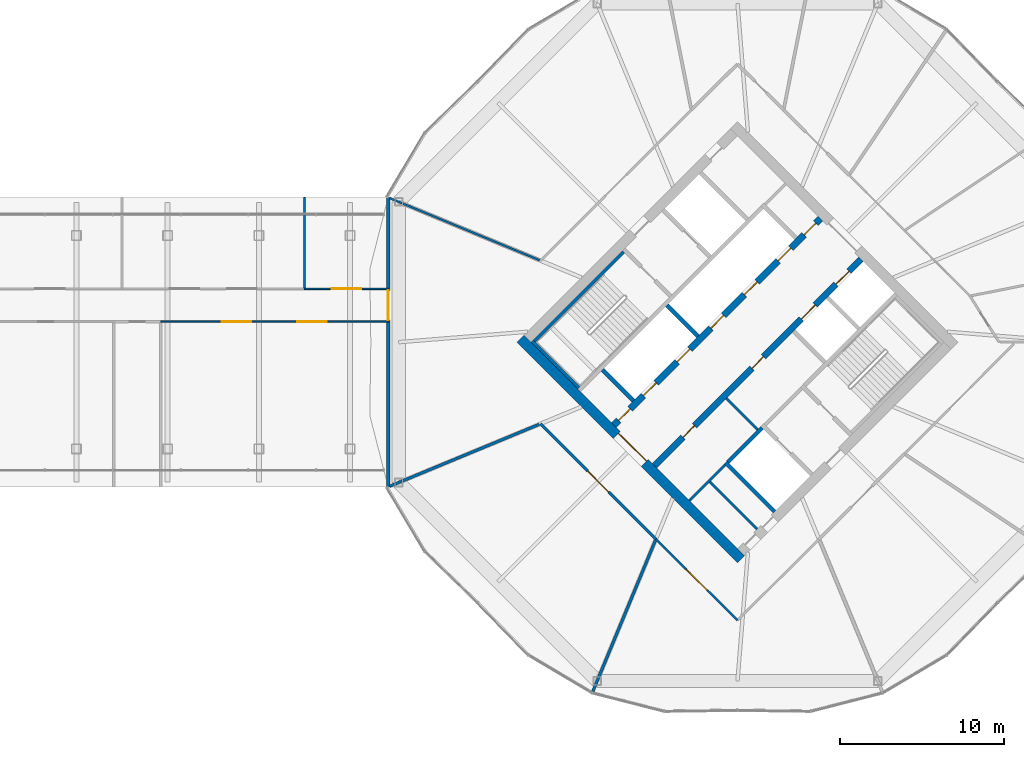
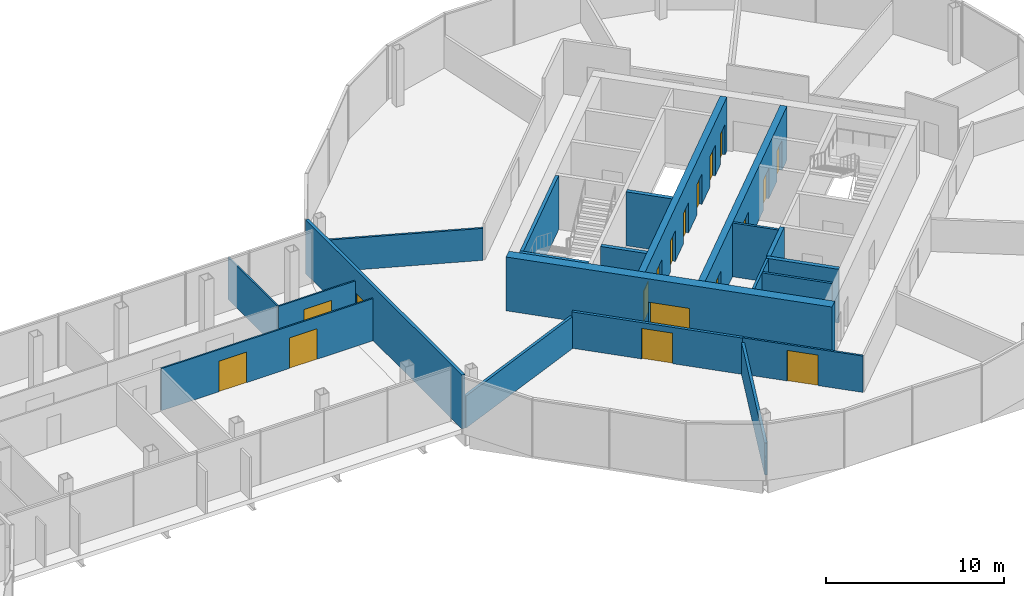
# One storey, part 22 of 26: 21 walls, 18 doors, 18 openings.
"""IFC4 building model written with IfcOpenShell, lengths in metres."""

from ifc_helpers import new_model, si_unit, direction, frame, frame_2d, origin, place, context, subcontext, project, spatial, rectangle, extrude, material, layer, layer_set, type_object, element, fill, save


model = new_model("IFC4")

# Units and contexts
model_context = context("Model", 3, precision=1e-05, world=origin(), true_north=direction((0.0, 1.0)))
body_context = subcontext(model_context, "Body", "Model", "MODEL_VIEW")
ifc_project = project(units=[si_unit("LENGTHUNIT", "METRE"), si_unit("AREAUNIT", "SQUARE_METRE"), si_unit("VOLUMEUNIT", "CUBIC_METRE"), si_unit("PLANEANGLEUNIT", "RADIAN"), si_unit("MASSUNIT", "GRAM", prefix="KILO")], contexts=[model_context])

# Site, building, storey
site_placement = place(None, origin())
site = spatial("IfcSite", under=ifc_project, at=site_placement, CompositionType="ELEMENT")
building_placement = place(site_placement, origin())
building = spatial("IfcBuilding", under=site, at=building_placement, Name="Ogive Gate Towers", CompositionType="ELEMENT")
storey_placement = place(building_placement, frame((0.0, 0.0, 156.800048828125)))
storey = spatial("IfcBuildingStorey", under=building, at=storey_placement, Name="L37", CompositionType="ELEMENT", Elevation=156.800048828125)

# Walls
ifc_material_1 = material(Name="Gypsum board acoustic partition")
ifc_layer_1 = layer(ifc_material_1, 0.175048828125)
ifc_layer_set_1 = layer_set([ifc_layer_1], Name="Acoustic partition 175")
wall_type_1 = type_object("IfcWallType", Name="Acoustic partition 175", PredefinedType="PARTITIONING", material=ifc_layer_set_1)
wall_1_placement = place(storey_placement, frame((14.813720703125, -8.775634765625, 0.0), z_axis=(0.0, 0.0, 1.0), x_axis=(0.923877614903, 0.382688061849, 0.0)))
element("IfcWall", 1, at=wall_1_placement, inside=storey, type_object=wall_type_1, Name="Partition T2-L37-008", PredefinedType="PARTITIONING", context=body_context, shape_type="SweptSolid", body=[
    extrude(rectangle(XDim=9.853271484375, YDim=0.175048828125, at=frame_2d((4.9267578125, 0.0))), origin(), (0.0, 0.0, 1.0), 2.199951171875),
])
wall_2_placement = place(storey_placement, frame((27.18310546875, -21.2861328125, 0.0), z_axis=(0.0, 0.0, 1.0), x_axis=(0.38267936462, 0.923881217416, 0.0)))
element("IfcWall", 2, at=wall_2_placement, inside=storey, type_object=wall_type_1, Name="Partition T2-L37-009", PredefinedType="PARTITIONING", context=body_context, shape_type="SweptSolid", body=[
    extrude(rectangle(XDim=9.96142578125, YDim=0.175048828125, at=frame_2d((4.980712890625, 0.0))), origin(), (0.0, 0.0, 1.0), 2.199951171875),
])

# Wall, opening, door
wall_3_placement = place(storey_placement, frame((23.997802734375, -4.971435546875, 0.0), z_axis=(0.0, 0.0, 1.0), x_axis=(0.707106781187, -0.707106781187, 0.0)))
wall_3 = element("IfcWall", 3, at=wall_3_placement, inside=storey, type_object=wall_type_1, Name="Partition T2-L37-012", PredefinedType="PARTITIONING", context=body_context, shape_type="SweptSolid", body=[
    extrude(rectangle(XDim=9.943115234375, YDim=0.175048828125, at=frame_2d((4.9716796875, 0.0))), origin(), (0.0, 0.0, 1.0), 2.5),
])
opening_1_placement = place(wall_3_placement, frame((4.071044921875, 0.0, 0.0)))
opening_1 = element("IfcOpeningElement", 4, at=opening_1_placement, cuts=wall_3, Name="Opening T2-L37-D01", PredefinedType="OPENING", context=body_context, shape_type="SweptSolid", body=[
    extrude(rectangle(XDim=1.800048828125, YDim=2.10009765625, at=frame_2d((0.89990234375, 1.050048828125))), frame((0.0, 0.09765625, 0.0), z_axis=(0.0, -1.0, 0.0), x_axis=(1.0, 0.0, 0.0)), (0.0, 0.0, 1.0), 0.195068359375),
])
ifc_material_2 = material(Name="Timber door", Category="wood")
door_type_1 = type_object("IfcDoorType", Name="Door pair 1800", OperationType="NOTDEFINED", PredefinedType="DOOR", material=ifc_material_2)
door_1_placement = place(opening_1_placement, origin())
door_1 = element("IfcDoor", 5, at=door_1_placement, inside=storey, type_object=door_type_1, Name="Door T2-L37-D01", OperationType="DOUBLE_DOOR_DOUBLE_SWING", OverallHeight=2.10009765625, OverallWidth=1.800048828125, PredefinedType="DOOR", context=body_context, shape_type="SweptSolid", body=[
    extrude(rectangle(XDim=1.800048828125, YDim=2.10009765625, at=frame_2d((0.89990234375, 1.050048828125))), frame((0.0, 0.02490234375, 0.0), z_axis=(0.0, -1.0, 0.0), x_axis=(1.0, 0.0, 0.0)), (0.0, 0.0, 1.0), 0.050048828125),
])
fill(opening_1, door_1)

ifc_material_3 = material(Name="Concrete C60/75", Category="concrete")
ifc_layer_2 = layer(ifc_material_3, 0.60009765625)
ifc_layer_set_2 = layer_set([ifc_layer_2], Name="Core wall 600 mm")
wall_type_2 = type_object("IfcWallType", Name="Core wall 600 mm", PredefinedType="SHEAR", material=ifc_layer_set_2)
wall_4_placement = place(storey_placement, frame((36.212158203125, -13.222900390625, 0.0), z_axis=(0.0, 0.0, 1.0), x_axis=(-0.707106781187, 0.707106781187, 0.0)))
wall_4 = element("IfcWall", 6, at=wall_4_placement, inside=storey, type_object=wall_type_2, Name="T2 L37 Core wall 600 mm", PredefinedType="SHEAR", context=body_context, shape_type="SweptSolid", body=[
    extrude(rectangle(XDim=19.0, YDim=0.60009765625, at=frame_2d((9.5, 0.0))), origin(), (0.0, 0.0, 1.0), 3.699951171875),
])
opening_2_placement = place(wall_4_placement, frame((8.300048828125, 0.0, 0.0)))
opening_2 = element("IfcOpeningElement", 7, at=opening_2_placement, cuts=wall_4, Name="Opening KD-T2-L37-01", PredefinedType="OPENING", context=body_context, shape_type="SweptSolid", body=[
    extrude(rectangle(XDim=2.39990234375, YDim=2.10009765625, at=frame_2d((1.199951171875, 1.050048828125))), frame((0.0, 0.31005859375, 0.0), z_axis=(0.0, -1.0, 0.0), x_axis=(1.0, 0.0, 0.0)), (0.0, 0.0, 1.0), 0.6201171875),
])
ifc_material_4 = material(Name="Steel fire door", Category="steel")
door_type_2 = type_object("IfcDoorType", Name="Core double door FD60S 2400 x 2100", OperationType="DOUBLE_DOOR_SINGLE_SWING", PredefinedType="DOOR", material=ifc_material_4)
door_2_placement = place(opening_2_placement, origin())
door_2 = element("IfcDoor", 8, at=door_2_placement, inside=storey, type_object=door_type_2, Name="T2 L37 Core door double", OperationType="DOUBLE_DOOR_SINGLE_SWING", OverallHeight=2.10009765625, OverallWidth=2.39990234375, PredefinedType="DOOR", context=body_context, shape_type="SweptSolid", body=[
    extrude(rectangle(XDim=2.39990234375, YDim=2.10009765625, at=frame_2d((1.199951171875, 1.050048828125))), frame((0.0, -0.125, 0.0), z_axis=(0.0, -1.0, 0.0), x_axis=(1.0, 0.0, 0.0)), (0.0, 0.0, 1.0), 0.050048828125),
])
fill(opening_2, door_2)

# Wall
ifc_material_5 = material(Name="Gypsum board partition")
ifc_layer_3 = layer(ifc_material_5, 0.125)
ifc_layer_set_3 = layer_set([ifc_layer_3], Name="Partition 125")
wall_type_3 = type_object("IfcWallType", Name="Partition 125", PredefinedType="PARTITIONING", material=ifc_layer_set_3)
wall_5_placement = place(storey_placement, frame((14.813720703125, 8.775634765625, 0.0), z_axis=(0.0, 0.0, 1.0), x_axis=(0.923880680571, -0.382680660691, 0.0)))
element("IfcWall", 9, at=wall_5_placement, inside=storey, type_object=wall_type_3, Name="Partition T2-L37-007", PredefinedType="PARTITIONING", context=body_context, shape_type="SweptSolid", body=[
    extrude(rectangle(XDim=9.87841796875, YDim=0.125, at=frame_2d((4.939208984375, 0.0))), origin(), (0.0, 0.0, 1.0), 2.199951171875),
])

# Wall, opening, door
wall_6_placement = place(storey_placement, frame((31.028564453125, -12.002197265625, 0.0), z_axis=(0.0, 0.0, 1.0), x_axis=(0.709332667605, -0.704873865786, 0.0)))
wall_6 = element("IfcWall", 10, at=wall_6_placement, inside=storey, type_object=wall_type_3, Name="Partition T2-L37-013", PredefinedType="PARTITIONING", context=body_context, shape_type="SweptSolid", body=[
    extrude(rectangle(XDim=7.008544921875, YDim=0.125, at=frame_2d((3.50439453125, 0.0))), origin(), (0.0, 0.0, 1.0), 2.5),
])
opening_3_placement = place(wall_6_placement, frame((2.60400390625, 0.0, 0.0)))
opening_3 = element("IfcOpeningElement", 11, at=opening_3_placement, cuts=wall_6, Name="Opening T2-L37-D02", PredefinedType="OPENING", context=body_context, shape_type="SweptSolid", body=[
    extrude(rectangle(XDim=1.800048828125, YDim=2.10009765625, at=frame_2d((0.89990234375, 1.050048828125))), frame((0.0, 0.072509765625, 0.0), z_axis=(0.0, -1.0, 0.0), x_axis=(1.0, 0.0, 0.0)), (0.0, 0.0, 1.0), 0.14501953125),
])
door_3_placement = place(opening_3_placement, origin())
door_3 = element("IfcDoor", 12, at=door_3_placement, inside=storey, type_object=door_type_1, Name="Door T2-L37-D02", OperationType="DOUBLE_DOOR_DOUBLE_SWING", OverallHeight=2.10009765625, OverallWidth=1.800048828125, PredefinedType="DOOR", context=body_context, shape_type="SweptSolid", body=[
    extrude(rectangle(XDim=1.800048828125, YDim=2.10009765625, at=frame_2d((0.89990234375, 1.050048828125))), frame((0.0, 0.02490234375, 0.0), z_axis=(0.0, -1.0, 0.0), x_axis=(1.0, 0.0, 0.0)), (0.0, 0.0, 1.0), 0.050048828125),
])
fill(opening_3, door_3)

ifc_layer_4 = layer(ifc_material_5, 0.10009765625)
ifc_layer_set_4 = layer_set([ifc_layer_4], Name="Partition wall 100")
wall_type_4 = type_object("IfcWallType", Name="Partition wall 100", PredefinedType="PARTITIONING", material=ifc_layer_set_4)
wall_7_placement = place(storey_placement, frame((9.6171875, 3.25, 0.0), z_axis=(0.0, 0.0, 1.0), x_axis=(1.0, 0.0, 0.0)))
wall_7 = element("IfcWall", 13, at=wall_7_placement, inside=storey, type_object=wall_type_4, Name="L37 partition 005", PredefinedType="PARTITIONING", context=body_context, shape_type="SweptSolid", body=[
    extrude(rectangle(XDim=5.0966796875, YDim=0.10009765625, at=frame_2d((2.54833984375, 0.0))), origin(), (0.0, 0.0, 1.0), 2.89990234375),
])
opening_4_placement = place(wall_7_placement, frame((1.648193359375, 0.0, 0.0)))
opening_4 = element("IfcOpeningElement", 14, at=opening_4_placement, cuts=wall_7, Name="Opening PO289", PredefinedType="OPENING", context=body_context, shape_type="SweptSolid", body=[
    extrude(rectangle(XDim=1.800048828125, YDim=2.10009765625, at=frame_2d((0.89990234375, 1.050048828125))), frame((0.0, 0.06005859375, 0.0), z_axis=(0.0, -1.0, 0.0), x_axis=(1.0, 0.0, 0.0)), (0.0, 0.0, 1.0), 0.1201171875),
])
door_type_3 = type_object("IfcDoorType", Name="Double door 1800 x 2100", OperationType="NOTDEFINED", PredefinedType="DOOR", material=ifc_material_2)
door_4_placement = place(opening_4_placement, origin())
door_4 = element("IfcDoor", 15, at=door_4_placement, inside=storey, type_object=door_type_3, Name="Door PO289", OperationType="DOUBLE_DOOR_DOUBLE_SWING", OverallHeight=2.10009765625, OverallWidth=1.800048828125, PredefinedType="DOOR", context=body_context, shape_type="SweptSolid", body=[
    extrude(rectangle(XDim=1.800048828125, YDim=2.10009765625, at=frame_2d((0.89990234375, 1.050048828125))), frame((0.0, 0.02490234375, 0.0), z_axis=(0.0, -1.0, 0.0), x_axis=(1.0, 0.0, 0.0)), (0.0, 0.0, 1.0), 0.050048828125),
])
fill(opening_4, door_4)

# Wall, openings, doors
wall_8_placement = place(storey_placement, frame((0.85009765625, 1.25, 0.0), z_axis=(0.0, 0.0, 1.0), x_axis=(1.0, 0.0, 0.0)))
wall_8 = element("IfcWall", 16, at=wall_8_placement, inside=storey, type_object=wall_type_4, Name="L37 partition 008", PredefinedType="PARTITIONING", context=body_context, shape_type="SweptSolid", body=[
    extrude(rectangle(XDim=13.86376953125, YDim=0.10009765625, at=frame_2d((6.931884765625, 0.0))), origin(), (0.0, 0.0, 1.0), 2.89990234375),
])
opening_5_placement = place(wall_8_placement, frame((3.739013671875, 0.0, 0.0)))
opening_5 = element("IfcOpeningElement", 17, at=opening_5_placement, cuts=wall_8, Name="Opening PO292", PredefinedType="OPENING", context=body_context, shape_type="SweptSolid", body=[
    extrude(rectangle(XDim=1.800048828125, YDim=2.10009765625, at=frame_2d((0.89990234375, 1.050048828125))), frame((0.0, 0.06005859375, 0.0), z_axis=(0.0, -1.0, 0.0), x_axis=(1.0, 0.0, 0.0)), (0.0, 0.0, 1.0), 0.1201171875),
])
opening_6_placement = place(wall_8_placement, frame((8.32470703125, 0.0, 0.0)))
opening_6 = element("IfcOpeningElement", 18, at=opening_6_placement, cuts=wall_8, Name="Opening PO293", PredefinedType="OPENING", context=body_context, shape_type="SweptSolid", body=[
    extrude(rectangle(XDim=1.800048828125, YDim=2.10009765625, at=frame_2d((0.89990234375, 1.050048828125))), frame((0.0, 0.06005859375, 0.0), z_axis=(0.0, -1.0, 0.0), x_axis=(1.0, 0.0, 0.0)), (0.0, 0.0, 1.0), 0.1201171875),
])
door_5_placement = place(opening_5_placement, origin())
door_5 = element("IfcDoor", 19, at=door_5_placement, inside=storey, type_object=door_type_3, Name="Door PO292", OperationType="DOUBLE_DOOR_DOUBLE_SWING", OverallHeight=2.10009765625, OverallWidth=1.800048828125, PredefinedType="DOOR", context=body_context, shape_type="SweptSolid", body=[
    extrude(rectangle(XDim=1.800048828125, YDim=2.10009765625, at=frame_2d((0.89990234375, 1.050048828125))), frame((0.0, 0.02490234375, 0.0), z_axis=(0.0, -1.0, 0.0), x_axis=(1.0, 0.0, 0.0)), (0.0, 0.0, 1.0), 0.050048828125),
])
fill(opening_5, door_5)
door_6_placement = place(opening_6_placement, origin())
door_6 = element("IfcDoor", 20, at=door_6_placement, inside=storey, type_object=door_type_3, Name="Door PO293", OperationType="DOUBLE_DOOR_DOUBLE_SWING", OverallHeight=2.10009765625, OverallWidth=1.800048828125, PredefinedType="DOOR", context=body_context, shape_type="SweptSolid", body=[
    extrude(rectangle(XDim=1.800048828125, YDim=2.10009765625, at=frame_2d((0.89990234375, 1.050048828125))), frame((0.0, 0.02490234375, 0.0), z_axis=(0.0, -1.0, 0.0), x_axis=(1.0, 0.0, 0.0)), (0.0, 0.0, 1.0), 0.050048828125),
])
fill(opening_6, door_6)

# Wall
wall_9_placement = place(storey_placement, frame((9.6171875, 3.300048828125, 0.0), z_axis=(0.0, 0.0, 1.0), x_axis=(0.0, 1.0, 0.0)))
element("IfcWall", 21, at=wall_9_placement, inside=storey, type_object=wall_type_4, Name="L37 partition 017", PredefinedType="PARTITIONING", context=body_context, shape_type="SweptSolid", body=[
    extrude(rectangle(XDim=5.516845703125, YDim=0.10009765625, at=frame_2d((2.75830078125, 0.0))), origin(), (0.0, 0.0, 1.0), 2.89990234375),
])

# Wall, opening, door
ifc_material_6 = material(Name="Masonry block wall", Category="masonry")
ifc_layer_5 = layer(ifc_material_6, 0.199951171875)
ifc_layer_set_5 = layer_set([ifc_layer_5], Name="Partition wall 200")
wall_type_5 = type_object("IfcWallType", Name="Partition wall 200", PredefinedType="PARTITIONING", material=ifc_layer_set_5)
wall_10_placement = place(storey_placement, frame((14.7138671875, -8.817138671875, 0.0), z_axis=(0.0, 0.0, 1.0), x_axis=(0.0, 1.0, 0.0)))
wall_10 = element("IfcWall", 22, at=wall_10_placement, inside=storey, type_object=wall_type_5, Name="L37 wall 021", PredefinedType="PARTITIONING", context=body_context, shape_type="SweptSolid", body=[
    extrude(rectangle(XDim=17.63427734375, YDim=0.199951171875, at=frame_2d((8.817138671875, 0.0))), origin(), (0.0, 0.0, 1.0), 3.699951171875),
])
opening_7_placement = place(wall_10_placement, frame((10.1669921875, 0.0, 0.0)))
opening_7 = element("IfcOpeningElement", 23, at=opening_7_placement, cuts=wall_10, Name="Opening PO295", PredefinedType="OPENING", context=body_context, shape_type="SweptSolid", body=[
    extrude(rectangle(XDim=1.800048828125, YDim=2.10009765625, at=frame_2d((0.89990234375, 1.050048828125))), frame((0.0, 0.10986328125, 0.0), z_axis=(0.0, -1.0, 0.0), x_axis=(1.0, 0.0, 0.0)), (0.0, 0.0, 1.0), 0.219970703125),
])
door_type_4 = type_object("IfcDoorType", Name="Interior fire double door FD120S 1800 x 2100", OperationType="NOTDEFINED", PredefinedType="DOOR", material=ifc_material_4)
door_7_placement = place(opening_7_placement, origin())
door_7 = element("IfcDoor", 24, at=door_7_placement, inside=storey, type_object=door_type_4, Name="Door PO295", OperationType="DOUBLE_DOOR_DOUBLE_SWING", OverallHeight=2.10009765625, OverallWidth=1.800048828125, PredefinedType="DOOR", context=body_context, shape_type="SweptSolid", body=[
    extrude(rectangle(XDim=1.800048828125, YDim=2.10009765625, at=frame_2d((0.89990234375, 1.050048828125))), frame((0.0, 0.02490234375, 0.0), z_axis=(0.0, -1.0, 0.0), x_axis=(1.0, 0.0, 0.0)), (0.0, 0.0, 1.0), 0.050048828125),
])
fill(opening_7, door_7)

# Walls
ifc_layer_6 = layer(ifc_material_5, 0.14990234375)
ifc_layer_set_6 = layer_set([ifc_layer_6], Name="Room partition 150 mm")
wall_type_6 = type_object("IfcWallType", Name="Room partition 150 mm", PredefinedType="PARTITIONING", material=ifc_layer_set_6)
wall_11_placement = place(storey_placement, frame((33.0654296875, -9.652099609375, 0.0), z_axis=(0.0, 0.0, 1.0), x_axis=(0.707146476181, 0.707067083964, 0.0)))
element("IfcWall", 25, at=wall_11_placement, inside=storey, type_object=wall_type_6, Name="T2 L37 Room partition 150 mm", PredefinedType="PARTITIONING", context=body_context, shape_type="SweptSolid", body=[
    extrude(rectangle(XDim=3.0751953125, YDim=0.14990234375, at=frame_2d((1.53759765625, 0.0))), origin(), (0.0, 0.0, 1.0), 3.699951171875),
])
wall_12_placement = place(storey_placement, frame((37.2021484375, -11.384521484375, 0.0), z_axis=(0.0, 0.0, 1.0), x_axis=(-0.707106781187, 0.707106781187, 0.0)))
element("IfcWall", 26, at=wall_12_placement, inside=storey, type_object=wall_type_6, Name="T2 L37 Room partition 150 mm", PredefinedType="PARTITIONING", context=body_context, shape_type="SweptSolid", body=[
    extrude(rectangle(XDim=4.0751953125, YDim=0.14990234375, at=frame_2d((2.03759765625, 0.0))), origin(), (0.0, 0.0, 1.0), 3.699951171875),
])
wall_13_placement = place(storey_placement, frame((37.2197265625, -5.321044921875, 0.0), z_axis=(0.0, 0.0, 1.0), x_axis=(-0.707106781187, 0.707106781187, 0.0)))
element("IfcWall", 27, at=wall_13_placement, inside=storey, type_object=wall_type_6, Name="T2 L37 Room partition 150 mm", PredefinedType="PARTITIONING", context=body_context, shape_type="SweptSolid", body=[
    extrude(rectangle(XDim=2.675048828125, YDim=0.14990234375, at=frame_2d((1.33740234375, 0.0))), origin(), (0.0, 0.0, 1.0), 3.699951171875),
])
ifc_layer_7 = layer(ifc_material_3, 0.25)
ifc_layer_set_7 = layer_set([ifc_layer_7], Name="Shaft wall 250 mm")
wall_type_7 = type_object("IfcWallType", Name="Shaft wall 250 mm", PredefinedType="SHEAR", material=ifc_layer_set_7)
wall_14_placement = place(storey_placement, frame((35.41650390625, -7.30078125, 0.0), z_axis=(0.0, 0.0, 1.0), x_axis=(0.707148157867, 0.707065402085, 0.0)))
element("IfcWall", 28, at=wall_14_placement, inside=storey, type_object=wall_type_7, Name="T2 L37 Shaft wall 250 mm", PredefinedType="SHEAR", context=body_context, shape_type="SweptSolid", body=[
    extrude(rectangle(XDim=2.9501953125, YDim=0.25, at=frame_2d((1.47509765625, 0.0))), origin(), (0.0, 0.0, 1.0), 3.699951171875),
])
wall_15_placement = place(storey_placement, frame((29.67138671875, -3.57080078125, 0.0), z_axis=(0.0, 0.0, 1.0), x_axis=(-0.707152414227, 0.707061145201, 0.0)))
element("IfcWall", 29, at=wall_15_placement, inside=storey, type_object=wall_type_7, Name="T2 L37 Shaft wall 250 mm", PredefinedType="SHEAR", context=body_context, shape_type="SweptSolid", body=[
    extrude(rectangle(XDim=2.675048828125, YDim=0.25, at=frame_2d((1.33740234375, 0.0))), origin(), (0.0, 0.0, 1.0), 3.699951171875),
])
wall_16_placement = place(storey_placement, frame((38.2626953125, -10.32373046875, 0.0), z_axis=(0.0, 0.0, 1.0), x_axis=(-0.707106781187, 0.707106781187, 0.0)))
element("IfcWall", 30, at=wall_16_placement, inside=storey, type_object=wall_type_7, Name="T2 L37 Shaft wall 250 mm", PredefinedType="SHEAR", context=body_context, shape_type="SweptSolid", body=[
    extrude(rectangle(XDim=4.22509765625, YDim=0.25, at=frame_2d((2.112548828125, 0.0))), origin(), (0.0, 0.0, 1.0), 3.699951171875),
])
wall_17_placement = place(storey_placement, frame((33.595703125, 0.353515625, 0.0), z_axis=(0.0, 0.0, 1.0), x_axis=(-0.707061145201, 0.707152414227, 0.0)))
element("IfcWall", 31, at=wall_17_placement, inside=storey, type_object=wall_type_7, Name="T2 L37 Shaft wall 250 mm", PredefinedType="SHEAR", context=body_context, shape_type="SweptSolid", body=[
    extrude(rectangle(XDim=2.675048828125, YDim=0.25, at=frame_2d((1.33740234375, 0.0))), origin(), (0.0, 0.0, 1.0), 3.699951171875),
])

# Wall, openings, doors
ifc_layer_8 = layer(ifc_material_3, 0.39990234375)
ifc_layer_set_8 = layer_set([ifc_layer_8], Name="Spine wall 400 mm")
wall_type_8 = type_object("IfcWallType", Name="Spine wall 400 mm", PredefinedType="SHEAR", material=ifc_layer_set_8)
wall_18_placement = place(storey_placement, frame((30.944091796875, -7.53076171875, 0.0), z_axis=(0.0, 0.0, 1.0), x_axis=(0.707106781187, 0.707106781187, 0.0)))
wall_18 = element("IfcWall", 32, at=wall_18_placement, inside=storey, type_object=wall_type_8, Name="T2 L37 Spine wall 400 mm", PredefinedType="SHEAR", context=body_context, shape_type="SweptSolid", body=[
    extrude(rectangle(XDim=17.80029296875, YDim=0.39990234375, at=frame_2d((8.900146484375, 0.0))), origin(), (0.0, 0.0, 1.0), 3.699951171875),
])
opening_8_placement = place(wall_18_placement, frame((12.64990234375, 0.0, 0.0)))
opening_8 = element("IfcOpeningElement", 33, at=opening_8_placement, cuts=wall_18, Name="Opening LD-T2-L37-10", PredefinedType="OPENING", context=body_context, shape_type="SweptSolid", body=[
    extrude(rectangle(XDim=1.199951171875, YDim=2.10009765625, at=frame_2d((0.60009765625, 1.050048828125))), frame((0.0, 0.2099609375, 0.0), z_axis=(0.0, -1.0, 0.0), x_axis=(1.0, 0.0, 0.0)), (0.0, 0.0, 1.0), 0.419921875),
])
opening_9_placement = place(wall_18_placement, frame((15.64990234375, 0.0, 0.0)))
opening_9 = element("IfcOpeningElement", 34, at=opening_9_placement, cuts=wall_18, Name="Opening LD-T2-L37-11", PredefinedType="OPENING", context=body_context, shape_type="SweptSolid", body=[
    extrude(rectangle(XDim=1.10009765625, YDim=2.10009765625, at=frame_2d((0.550048828125, 1.050048828125))), frame((0.0, 0.2099609375, 0.0), z_axis=(0.0, -1.0, 0.0), x_axis=(1.0, 0.0, 0.0)), (0.0, 0.0, 1.0), 0.419921875),
])
opening_10_placement = place(wall_18_placement, frame((2.449951171875, 0.0, 0.0)))
opening_10 = element("IfcOpeningElement", 35, at=opening_10_placement, cuts=wall_18, Name="Opening KD-T2-L37-14", PredefinedType="OPENING", context=body_context, shape_type="SweptSolid", body=[
    extrude(rectangle(XDim=1.0, YDim=2.10009765625, at=frame_2d((0.5, 1.050048828125))), frame((0.0, 0.2099609375, 0.0), z_axis=(0.0, -1.0, 0.0), x_axis=(1.0, 0.0, 0.0)), (0.0, 0.0, 1.0), 0.419921875),
])
opening_11_placement = place(wall_18_placement, frame((8.39990234375, 0.0, 0.0)))
opening_11 = element("IfcOpeningElement", 36, at=opening_11_placement, cuts=wall_18, Name="Opening KD-T2-L37-15", PredefinedType="OPENING", context=body_context, shape_type="SweptSolid", body=[
    extrude(rectangle(XDim=1.0, YDim=2.10009765625, at=frame_2d((0.5, 1.050048828125))), frame((0.0, 0.2099609375, 0.0), z_axis=(0.0, -1.0, 0.0), x_axis=(1.0, 0.0, 0.0)), (0.0, 0.0, 1.0), 0.419921875),
])
door_type_5 = type_object("IfcDoorType", Name="Core door FD60S 1000 x 2100", OperationType="NOTDEFINED", PredefinedType="DOOR", material=ifc_material_4)
door_8_placement = place(opening_10_placement, origin())
door_8 = element("IfcDoor", 37, at=door_8_placement, inside=storey, type_object=door_type_5, Name="T2 L37 Core door", OperationType="SINGLE_SWING_LEFT", OverallHeight=2.10009765625, OverallWidth=1.0, PredefinedType="DOOR", context=body_context, shape_type="SweptSolid", body=[
    extrude(rectangle(XDim=1.0, YDim=2.10009765625, at=frame_2d((0.5, 1.050048828125))), frame((0.0, 0.02490234375, 0.0), z_axis=(0.0, -1.0, 0.0), x_axis=(1.0, 0.0, 0.0)), (0.0, 0.0, 1.0), 0.050048828125),
])
fill(opening_10, door_8)
door_9_placement = place(opening_11_placement, origin())
door_9 = element("IfcDoor", 38, at=door_9_placement, inside=storey, type_object=door_type_5, Name="T2 L37 Core door", OperationType="SINGLE_SWING_RIGHT", OverallHeight=2.10009765625, OverallWidth=1.0, PredefinedType="DOOR", context=body_context, shape_type="SweptSolid", body=[
    extrude(rectangle(XDim=1.0, YDim=2.10009765625, at=frame_2d((0.5, 1.050048828125))), frame((0.0, 0.02490234375, 0.0), z_axis=(0.0, -1.0, 0.0), x_axis=(1.0, 0.0, 0.0)), (0.0, 0.0, 1.0), 0.050048828125),
])
fill(opening_11, door_9)
ifc_material_7 = material(Name="Stainless steel landing door", Category="steel")
door_type_6 = type_object("IfcDoorType", Name="Landing door 1100 x 2100", OperationType="SLIDING_TO_LEFT", PredefinedType="DOOR", material=ifc_material_7)
door_10_placement = place(opening_9_placement, origin())
door_10 = element("IfcDoor", 39, at=door_10_placement, inside=storey, type_object=door_type_6, Name="T2 L37 Lift landing door B6", OperationType="SLIDING_TO_LEFT", OverallHeight=2.10009765625, OverallWidth=1.10009765625, PredefinedType="DOOR", context=body_context, shape_type="SweptSolid", body=[
    extrude(rectangle(XDim=1.10009765625, YDim=2.10009765625, at=frame_2d((0.550048828125, 1.050048828125))), frame((0.0, 0.02490234375, 0.0), z_axis=(0.0, -1.0, 0.0), x_axis=(1.0, 0.0, 0.0)), (0.0, 0.0, 1.0), 0.050048828125),
])
fill(opening_9, door_10)
door_type_7 = type_object("IfcDoorType", Name="Landing door 1200 x 2100", OperationType="SLIDING_TO_LEFT", PredefinedType="DOOR", material=ifc_material_7)
door_11_placement = place(opening_8_placement, origin())
door_11 = element("IfcDoor", 40, at=door_11_placement, inside=storey, type_object=door_type_7, Name="T2 L37 Lift landing door SVC", OperationType="SLIDING_TO_LEFT", OverallHeight=2.10009765625, OverallWidth=1.199951171875, PredefinedType="DOOR", context=body_context, shape_type="SweptSolid", body=[
    extrude(rectangle(XDim=1.199951171875, YDim=2.10009765625, at=frame_2d((0.60009765625, 1.050048828125))), frame((0.0, 0.02490234375, 0.0), z_axis=(0.0, -1.0, 0.0), x_axis=(1.0, 0.0, 0.0)), (0.0, 0.0, 1.0), 0.050048828125),
])
fill(opening_8, door_11)

wall_19_placement = place(storey_placement, frame((28.46923828125, -5.055908203125, 0.0), z_axis=(0.0, 0.0, 1.0), x_axis=(0.707106781187, 0.707106781187, 0.0)))
wall_19 = element("IfcWall", 41, at=wall_19_placement, inside=storey, type_object=wall_type_8, Name="T2 L37 Spine wall 400 mm", PredefinedType="SHEAR", context=body_context, shape_type="SweptSolid", body=[
    extrude(rectangle(XDim=17.80029296875, YDim=0.39990234375, at=frame_2d((8.900146484375, 0.0))), origin(), (0.0, 0.0, 1.0), 3.699951171875),
])
opening_12_placement = place(wall_19_placement, frame((0.39990234375, 0.0, 0.0)))
opening_12 = element("IfcOpeningElement", 42, at=opening_12_placement, cuts=wall_19, Name="Opening KD-T2-L37-03", PredefinedType="OPENING", context=body_context, shape_type="SweptSolid", body=[
    extrude(rectangle(XDim=1.0, YDim=2.10009765625, at=frame_2d((0.5, 1.050048828125))), frame((0.0, 0.2099609375, 0.0), z_axis=(0.0, -1.0, 0.0), x_axis=(1.0, 0.0, 0.0)), (0.0, 0.0, 1.0), 0.419921875),
])
opening_13_placement = place(wall_19_placement, frame((2.550048828125, 0.0, 0.0)))
opening_13 = element("IfcOpeningElement", 43, at=opening_13_placement, cuts=wall_19, Name="Opening LD-T2-L37-04", PredefinedType="OPENING", context=body_context, shape_type="SweptSolid", body=[
    extrude(rectangle(XDim=1.10009765625, YDim=2.10009765625, at=frame_2d((0.550048828125, 1.050048828125))), frame((0.0, 0.2099609375, 0.0), z_axis=(0.0, -1.0, 0.0), x_axis=(1.0, 0.0, 0.0)), (0.0, 0.0, 1.0), 0.419921875),
])
opening_14_placement = place(wall_19_placement, frame((5.449951171875, 0.0, 0.0)))
opening_14 = element("IfcOpeningElement", 44, at=opening_14_placement, cuts=wall_19, Name="Opening LD-T2-L37-05", PredefinedType="OPENING", context=body_context, shape_type="SweptSolid", body=[
    extrude(rectangle(XDim=1.10009765625, YDim=2.10009765625, at=frame_2d((0.550048828125, 1.050048828125))), frame((0.0, 0.2099609375, 0.0), z_axis=(0.0, -1.0, 0.0), x_axis=(1.0, 0.0, 0.0)), (0.0, 0.0, 1.0), 0.419921875),
])
opening_15_placement = place(wall_19_placement, frame((8.35009765625, 0.0, 0.0)))
opening_15 = element("IfcOpeningElement", 45, at=opening_15_placement, cuts=wall_19, Name="Opening LD-T2-L37-06", PredefinedType="OPENING", context=body_context, shape_type="SweptSolid", body=[
    extrude(rectangle(XDim=1.10009765625, YDim=2.10009765625, at=frame_2d((0.550048828125, 1.050048828125))), frame((0.0, 0.2099609375, 0.0), z_axis=(0.0, -1.0, 0.0), x_axis=(1.0, 0.0, 0.0)), (0.0, 0.0, 1.0), 0.419921875),
])
opening_16_placement = place(wall_19_placement, frame((11.25, 0.0, 0.0)))
opening_16 = element("IfcOpeningElement", 46, at=opening_16_placement, cuts=wall_19, Name="Opening LD-T2-L37-07", PredefinedType="OPENING", context=body_context, shape_type="SweptSolid", body=[
    extrude(rectangle(XDim=1.10009765625, YDim=2.10009765625, at=frame_2d((0.550048828125, 1.050048828125))), frame((0.0, 0.2099609375, 0.0), z_axis=(0.0, -1.0, 0.0), x_axis=(1.0, 0.0, 0.0)), (0.0, 0.0, 1.0), 0.419921875),
])
opening_17_placement = place(wall_19_placement, frame((14.14990234375, 0.0, 0.0)))
opening_17 = element("IfcOpeningElement", 47, at=opening_17_placement, cuts=wall_19, Name="Opening LD-T2-L37-08", PredefinedType="OPENING", context=body_context, shape_type="SweptSolid", body=[
    extrude(rectangle(XDim=1.10009765625, YDim=2.10009765625, at=frame_2d((0.550048828125, 1.050048828125))), frame((0.0, 0.2099609375, 0.0), z_axis=(0.0, -1.0, 0.0), x_axis=(1.0, 0.0, 0.0)), (0.0, 0.0, 1.0), 0.419921875),
])
opening_18_placement = place(wall_19_placement, frame((16.39990234375, 0.0, 0.0)))
opening_18 = element("IfcOpeningElement", 48, at=opening_18_placement, cuts=wall_19, Name="Opening KD-T2-L37-09", PredefinedType="OPENING", context=body_context, shape_type="SweptSolid", body=[
    extrude(rectangle(XDim=1.0, YDim=2.10009765625, at=frame_2d((0.5, 1.050048828125))), frame((0.0, 0.2099609375, 0.0), z_axis=(0.0, -1.0, 0.0), x_axis=(1.0, 0.0, 0.0)), (0.0, 0.0, 1.0), 0.419921875),
])
door_12_placement = place(opening_12_placement, origin())
door_12 = element("IfcDoor", 49, at=door_12_placement, inside=storey, type_object=door_type_5, Name="T2 L37 Core door", OperationType="SINGLE_SWING_RIGHT", OverallHeight=2.10009765625, OverallWidth=1.0, PredefinedType="DOOR", context=body_context, shape_type="SweptSolid", body=[
    extrude(rectangle(XDim=1.0, YDim=2.10009765625, at=frame_2d((0.5, 1.050048828125))), frame((0.0, 0.02490234375, 0.0), z_axis=(0.0, -1.0, 0.0), x_axis=(1.0, 0.0, 0.0)), (0.0, 0.0, 1.0), 0.050048828125),
])
fill(opening_12, door_12)
door_13_placement = place(opening_18_placement, origin())
door_13 = element("IfcDoor", 50, at=door_13_placement, inside=storey, type_object=door_type_5, Name="T2 L37 Core door", OperationType="SINGLE_SWING_RIGHT", OverallHeight=2.10009765625, OverallWidth=1.0, PredefinedType="DOOR", context=body_context, shape_type="SweptSolid", body=[
    extrude(rectangle(XDim=1.0, YDim=2.10009765625, at=frame_2d((0.5, 1.050048828125))), frame((0.0, 0.02490234375, 0.0), z_axis=(0.0, -1.0, 0.0), x_axis=(1.0, 0.0, 0.0)), (0.0, 0.0, 1.0), 0.050048828125),
])
fill(opening_18, door_13)
door_14_placement = place(opening_13_placement, origin())
door_14 = element("IfcDoor", 51, at=door_14_placement, inside=storey, type_object=door_type_6, Name="T2 L37 Lift landing door B1", OperationType="SLIDING_TO_LEFT", OverallHeight=2.10009765625, OverallWidth=1.10009765625, PredefinedType="DOOR", context=body_context, shape_type="SweptSolid", body=[
    extrude(rectangle(XDim=1.10009765625, YDim=2.10009765625, at=frame_2d((0.550048828125, 1.050048828125))), frame((0.0, 0.02490234375, 0.0), z_axis=(0.0, -1.0, 0.0), x_axis=(1.0, 0.0, 0.0)), (0.0, 0.0, 1.0), 0.050048828125),
])
fill(opening_13, door_14)
door_15_placement = place(opening_14_placement, origin())
door_15 = element("IfcDoor", 52, at=door_15_placement, inside=storey, type_object=door_type_6, Name="T2 L37 Lift landing door B2", OperationType="SLIDING_TO_LEFT", OverallHeight=2.10009765625, OverallWidth=1.10009765625, PredefinedType="DOOR", context=body_context, shape_type="SweptSolid", body=[
    extrude(rectangle(XDim=1.10009765625, YDim=2.10009765625, at=frame_2d((0.550048828125, 1.050048828125))), frame((0.0, 0.02490234375, 0.0), z_axis=(0.0, -1.0, 0.0), x_axis=(1.0, 0.0, 0.0)), (0.0, 0.0, 1.0), 0.050048828125),
])
fill(opening_14, door_15)
door_16_placement = place(opening_15_placement, origin())
door_16 = element("IfcDoor", 53, at=door_16_placement, inside=storey, type_object=door_type_6, Name="T2 L37 Lift landing door B3", OperationType="SLIDING_TO_LEFT", OverallHeight=2.10009765625, OverallWidth=1.10009765625, PredefinedType="DOOR", context=body_context, shape_type="SweptSolid", body=[
    extrude(rectangle(XDim=1.10009765625, YDim=2.10009765625, at=frame_2d((0.550048828125, 1.050048828125))), frame((0.0, 0.02490234375, 0.0), z_axis=(0.0, -1.0, 0.0), x_axis=(1.0, 0.0, 0.0)), (0.0, 0.0, 1.0), 0.050048828125),
])
fill(opening_15, door_16)
door_17_placement = place(opening_16_placement, origin())
door_17 = element("IfcDoor", 54, at=door_17_placement, inside=storey, type_object=door_type_6, Name="T2 L37 Lift landing door B4", OperationType="SLIDING_TO_LEFT", OverallHeight=2.10009765625, OverallWidth=1.10009765625, PredefinedType="DOOR", context=body_context, shape_type="SweptSolid", body=[
    extrude(rectangle(XDim=1.10009765625, YDim=2.10009765625, at=frame_2d((0.550048828125, 1.050048828125))), frame((0.0, 0.02490234375, 0.0), z_axis=(0.0, -1.0, 0.0), x_axis=(1.0, 0.0, 0.0)), (0.0, 0.0, 1.0), 0.050048828125),
])
fill(opening_16, door_17)
door_18_placement = place(opening_17_placement, origin())
door_18 = element("IfcDoor", 55, at=door_18_placement, inside=storey, type_object=door_type_6, Name="T2 L37 Lift landing door B5", OperationType="SLIDING_TO_LEFT", OverallHeight=2.10009765625, OverallWidth=1.10009765625, PredefinedType="DOOR", context=body_context, shape_type="SweptSolid", body=[
    extrude(rectangle(XDim=1.10009765625, YDim=2.10009765625, at=frame_2d((0.550048828125, 1.050048828125))), frame((0.0, 0.02490234375, 0.0), z_axis=(0.0, -1.0, 0.0), x_axis=(1.0, 0.0, 0.0)), (0.0, 0.0, 1.0), 0.050048828125),
])
fill(opening_17, door_18)

# Walls
ifc_layer_9 = layer(ifc_material_3, 0.199951171875)
ifc_layer_set_9 = layer_set([ifc_layer_9], Name="Stair wall 200 mm")
wall_type_9 = type_object("IfcWallType", Name="Stair wall 200 mm", PredefinedType="SHEAR", material=ifc_layer_set_9)
wall_20_placement = place(storey_placement, frame((23.62548828125, 0.07080078125, 0.0), z_axis=(0.0, 0.0, 1.0), x_axis=(0.707122685701, 0.707090876314, 0.0)))
element("IfcWall", 56, at=wall_20_placement, inside=storey, type_object=wall_type_9, Name="T2 L37 Stair wall 200 mm", PredefinedType="SHEAR", context=body_context, shape_type="SweptSolid", body=[
    extrude(rectangle(XDim=7.675048828125, YDim=0.199951171875, at=frame_2d((3.83740234375, 0.0))), origin(), (0.0, 0.0, 1.0), 3.699951171875),
])
wall_21_placement = place(storey_placement, frame((26.330322265625, -2.775390625, 0.0), z_axis=(0.0, 0.0, 1.0), x_axis=(-0.707106781187, 0.707106781187, 0.0)))
element("IfcWall", 57, at=wall_21_placement, inside=storey, type_object=wall_type_9, Name="T2 L37 Stair wall 200 mm", PredefinedType="SHEAR", context=body_context, shape_type="SweptSolid", body=[
    extrude(rectangle(XDim=4.025146484375, YDim=0.199951171875, at=frame_2d((2.0126953125, 0.0))), origin(), (0.0, 0.0, 1.0), 3.699951171875),
])

save(model, "model.ifc")
